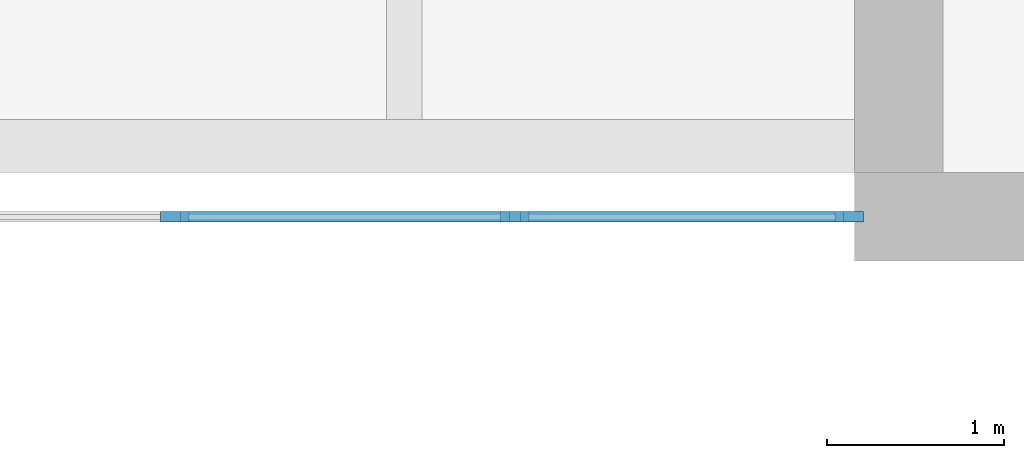
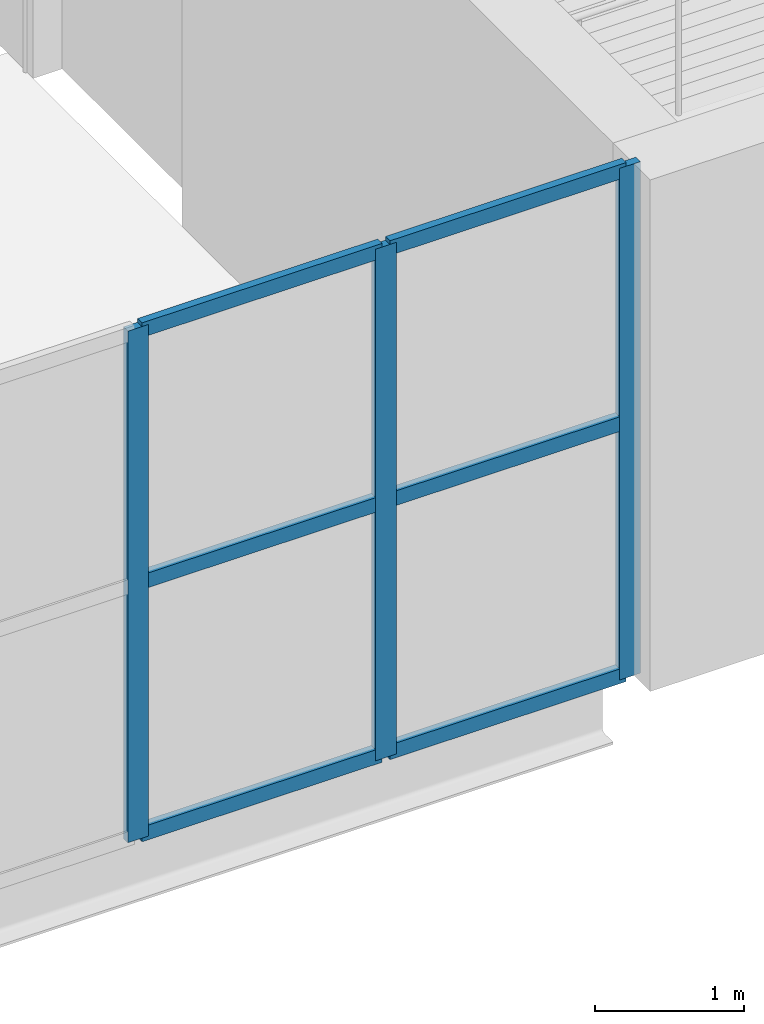
# One storey, part 32 of 96: 9 members, 1 element without a shape of its own.
"""IFC4 building model written with IfcOpenShell, lengths in metres."""

from ifc_helpers import new_model, si_unit, direction, frame, origin, origin_2d, place, context, subcontext, project, spatial, rectangle, extrude, material, layer, layer_set, material_profile, profile_set, type_object, element, aggregate, save


model = new_model("IFC4")

# Units and contexts
model_context = context("Model", 3, precision=1e-05, world=origin(), true_north=direction((0.0, 1.0)))
body_context = subcontext(model_context, "Body", "Model", "MODEL_VIEW")
ifc_project = project(units=[si_unit("LENGTHUNIT", "METRE"), si_unit("AREAUNIT", "SQUARE_METRE"), si_unit("VOLUMEUNIT", "CUBIC_METRE"), si_unit("PLANEANGLEUNIT", "RADIAN"), si_unit("MASSUNIT", "GRAM", prefix="KILO")], contexts=[model_context])

# Site, building, storey
site_placement = place(None, origin())
site = spatial("IfcSite", under=ifc_project, at=site_placement, CompositionType="ELEMENT")
building_placement = place(site_placement, origin())
building = spatial("IfcBuilding", under=site, at=building_placement, Name="Cresset Court Congress Hotel", CompositionType="ELEMENT")
storey_placement = place(building_placement, frame((0.0, 0.0, 6.0)))
storey = spatial("IfcBuildingStorey", under=building, at=storey_placement, Name="L01", CompositionType="ELEMENT", Elevation=6.0)

# Curtain wall, members
ifc_material_1 = material(Name="Aluminium and glass", Category="aluminium")
ifc_layer = layer(ifc_material_1, 0.199951171875)
ifc_layer_set = layer_set([ifc_layer], Name="Foyer curtain wall 1925 module")
curtain_wall_type = type_object("IfcCurtainWallType", Name="Foyer curtain wall 1925 module", PredefinedType="NOTDEFINED", material=ifc_layer_set)
curtain_wall_placement = place(storey_placement, origin())
curtain_wall = element("IfcCurtainWall", 1, at=curtain_wall_placement, inside=storey, type_object=curtain_wall_type, Name="Curtain wall CX-014", PredefinedType="NOTDEFINED")
ifc_material_2 = material(Name="Anodised aluminium", Category="aluminium")
ifc_material_profile_1 = material_profile(ifc_material_2, rectangle(XDim=0.06005859375, YDim=0.159912109375, at=origin_2d()), Name="AL60x160")
ifc_profile_set_1 = profile_set([ifc_material_profile_1], Name="Anodised aluminium")
member_type_1 = type_object("IfcMemberType", Name="Curtain wall mullion 60x160", PredefinedType="MULLION", material=ifc_profile_set_1)
member_1_placement = place(storey_placement, frame((105.10009765625, 58.800048828125, 0.0), z_axis=(0.0, 0.0, 1.0), x_axis=(0.0, 1.0, 0.0)))
member_1 = element("IfcMember", 2, at=member_1_placement, type_object=member_type_1, Name="C-X1 mullion 3", PredefinedType="MULLION", context=body_context, shape_type="SweptSolid", body=[
    extrude(rectangle(XDim=0.06005859375, YDim=0.159912109375, at=origin_2d()), origin(), (0.0, 0.0, 1.0), 4.199951171875),
])
member_2_placement = place(storey_placement, frame((107.02490234375, 58.800048828125, 0.0), z_axis=(0.0, 0.0, 1.0), x_axis=(0.0, 1.0, 0.0)))
member_2 = element("IfcMember", 3, at=member_2_placement, type_object=member_type_1, Name="C-X1 mullion 4", PredefinedType="MULLION", context=body_context, shape_type="SweptSolid", body=[
    extrude(rectangle(XDim=0.06005859375, YDim=0.159912109375, at=origin_2d()), origin(), (0.0, 0.0, 1.0), 4.199951171875),
])
member_3_placement = place(storey_placement, frame((108.919921875, 58.800048828125, 0.0), z_axis=(0.0, 0.0, 1.0), x_axis=(0.0, 1.0, 0.0)))
member_3 = element("IfcMember", 4, at=member_3_placement, type_object=member_type_1, Name="C-X1 mullion 5", PredefinedType="MULLION", context=body_context, shape_type="SweptSolid", body=[
    extrude(rectangle(XDim=0.06005859375, YDim=0.159912109375, at=origin_2d()), origin(), (0.0, 0.0, 1.0), 4.199951171875),
])
ifc_material_3 = material(Name="Anodised aluminium", Category="aluminium")
ifc_material_profile_2 = material_profile(ifc_material_3, rectangle(XDim=0.06005859375, YDim=0.1201171875, at=origin_2d()), Name="AL60x120")
ifc_profile_set_2 = profile_set([ifc_material_profile_2], Name="Anodised aluminium")
member_type_2 = type_object("IfcMemberType", Name="Curtain wall transom 60x120", PredefinedType="USERDEFINED", material=ifc_profile_set_2)
member_4_placement = place(storey_placement, frame((105.1298828125, 58.800048828125, 0.030029296875), z_axis=(1.0, 0.0, 0.0), x_axis=(0.0, 1.0, 0.0)))
member_4 = element("IfcMember", 5, at=member_4_placement, type_object=member_type_2, Name="C-X1 transom 3.1", ObjectType="TRANSOM", PredefinedType="USERDEFINED", context=body_context, shape_type="SweptSolid", body=[
    extrude(rectangle(XDim=0.06005859375, YDim=0.1201171875, at=origin_2d()), origin(), (0.0, 0.0, 1.0), 1.865234375),
])
member_5_placement = place(storey_placement, frame((105.1298828125, 58.800048828125, 2.10009765625), z_axis=(1.0, 0.0, 0.0), x_axis=(0.0, 1.0, 0.0)))
member_5 = element("IfcMember", 6, at=member_5_placement, type_object=member_type_2, Name="C-X1 transom 3.2", ObjectType="TRANSOM", PredefinedType="USERDEFINED", context=body_context, shape_type="SweptSolid", body=[
    extrude(rectangle(XDim=0.06005859375, YDim=0.1201171875, at=origin_2d()), origin(), (0.0, 0.0, 1.0), 1.865234375),
])
member_6_placement = place(storey_placement, frame((105.1298828125, 58.800048828125, 4.169921875), z_axis=(1.0, 0.0, 0.0), x_axis=(0.0, 1.0, 0.0)))
member_6 = element("IfcMember", 7, at=member_6_placement, type_object=member_type_2, Name="C-X1 transom 3.3", ObjectType="TRANSOM", PredefinedType="USERDEFINED", context=body_context, shape_type="SweptSolid", body=[
    extrude(rectangle(XDim=0.06005859375, YDim=0.1201171875, at=origin_2d()), origin(), (0.0, 0.0, 1.0), 1.865234375),
])
member_7_placement = place(storey_placement, frame((107.054931640625, 58.800048828125, 0.030029296875), z_axis=(1.0, 0.0, 0.0), x_axis=(0.0, 1.0, 0.0)))
member_7 = element("IfcMember", 8, at=member_7_placement, type_object=member_type_2, Name="C-X1 transom 4.1", ObjectType="TRANSOM", PredefinedType="USERDEFINED", context=body_context, shape_type="SweptSolid", body=[
    extrude(rectangle(XDim=0.06005859375, YDim=0.1201171875, at=origin_2d()), origin(), (0.0, 0.0, 1.0), 1.8349609375),
])
member_8_placement = place(storey_placement, frame((107.054931640625, 58.800048828125, 2.10009765625), z_axis=(1.0, 0.0, 0.0), x_axis=(0.0, 1.0, 0.0)))
member_8 = element("IfcMember", 9, at=member_8_placement, type_object=member_type_2, Name="C-X1 transom 4.2", ObjectType="TRANSOM", PredefinedType="USERDEFINED", context=body_context, shape_type="SweptSolid", body=[
    extrude(rectangle(XDim=0.06005859375, YDim=0.1201171875, at=origin_2d()), origin(), (0.0, 0.0, 1.0), 1.8349609375),
])
member_9_placement = place(storey_placement, frame((107.054931640625, 58.800048828125, 4.169921875), z_axis=(1.0, 0.0, 0.0), x_axis=(0.0, 1.0, 0.0)))
member_9 = element("IfcMember", 10, at=member_9_placement, type_object=member_type_2, Name="C-X1 transom 4.3", ObjectType="TRANSOM", PredefinedType="USERDEFINED", context=body_context, shape_type="SweptSolid", body=[
    extrude(rectangle(XDim=0.06005859375, YDim=0.1201171875, at=origin_2d()), origin(), (0.0, 0.0, 1.0), 1.8349609375),
])
aggregate(curtain_wall, [member_1, member_2, member_3, member_4, member_5, member_6, member_7, member_8, member_9])

save(model, "model.ifc")
